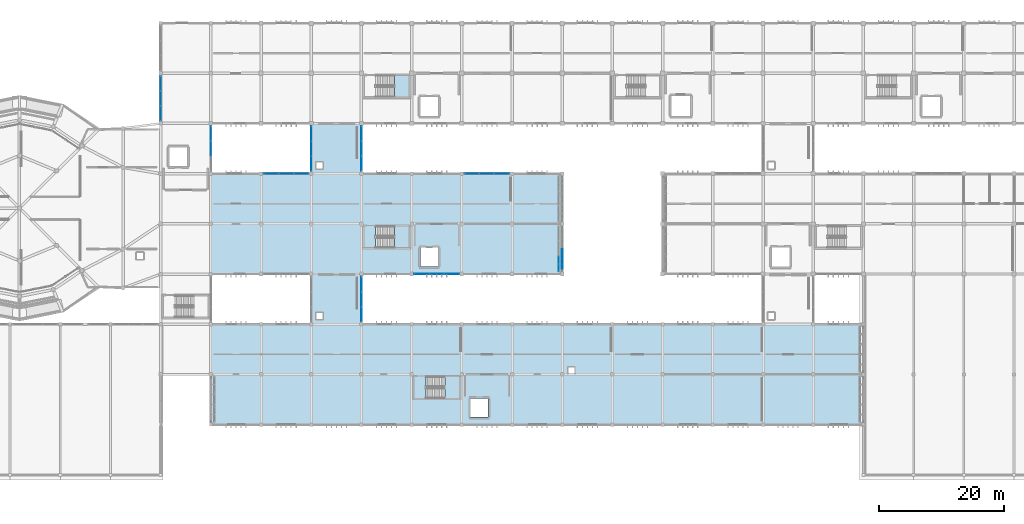
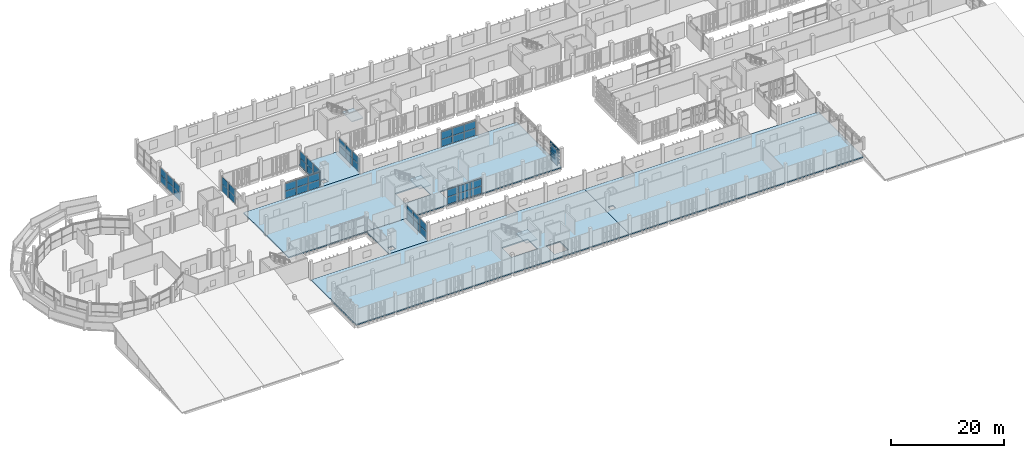
# One storey, part 58 of 83: 58 plates, 8 slabs, 12 elements without a shape of their own.
"""IFC4 building model written with IfcOpenShell, lengths in metres."""

from ifc_helpers import new_model, si_unit, direction, frame, origin, origin_2d, place, context, subcontext, project, spatial, polyline, rectangle, outline, extrude, material, layer, layer_set, type_object, element, aggregate, save


model = new_model("IFC4")

# Units and contexts
model_context = context("Model", 3, precision=1e-05, world=origin(), true_north=direction((0.0, 1.0)))
body_context = subcontext(model_context, "Body", "Model", "MODEL_VIEW")
ifc_project = project(units=[si_unit("LENGTHUNIT", "METRE"), si_unit("AREAUNIT", "SQUARE_METRE"), si_unit("VOLUMEUNIT", "CUBIC_METRE"), si_unit("PLANEANGLEUNIT", "RADIAN"), si_unit("MASSUNIT", "GRAM", prefix="KILO")], contexts=[model_context])

# Site, building, storey
site_placement = place(None, origin())
site = spatial("IfcSite", under=ifc_project, at=site_placement, CompositionType="ELEMENT")
building_placement = place(site_placement, origin())
building = spatial("IfcBuilding", under=site, at=building_placement, Name="Jelvoka-Kovrelna Polytechnic", CompositionType="ELEMENT")
storey_placement = place(building_placement, frame((0.0, 0.0, 13.800048828125)))
storey = spatial("IfcBuildingStorey", under=building, at=storey_placement, Name="L04", CompositionType="ELEMENT", Elevation=13.800048828125)

# Curtain wall, plates
ifc_material_1 = material(Name="Anodised aluminium 6063-T6", Category="aluminium")
ifc_layer_1 = layer(ifc_material_1, 0.159912109375)
ifc_layer_set_1 = layer_set([ifc_layer_1], Name="Anodised aluminium 6063-T6")
curtain_wall_type_1 = type_object("IfcCurtainWallType", Name="CW_Recessed_A", PredefinedType="NOTDEFINED", material=ifc_layer_set_1)
curtain_wall_1_placement = place(storey_placement, origin())
curtain_wall_1 = element("IfcCurtainWall", 1, at=curtain_wall_1_placement, inside=storey, type_object=curtain_wall_type_1, Name="L04 glazed curtain wall 028", PredefinedType="NOTDEFINED")
ifc_material_2 = material(Name="Solar-control double glazing", Category="glass")
ifc_layer_2 = layer(ifc_material_2, 0.028076171875)
ifc_layer_set_2 = layer_set([ifc_layer_2], Name="Solar-control double glazing")
plate_type_1 = type_object("IfcPlateType", Name="Panel_GP-01", PredefinedType="CURTAIN_PANEL", material=ifc_layer_set_2)
plate_1_placement = place(storey_placement, frame((65.614990234375, 48.0, 0.052001953125), z_axis=(0.0, 0.0, 1.0), x_axis=(1.0, 0.0, 0.0)))
plate_1 = element("IfcPlate", 2, at=plate_1_placement, type_object=plate_type_1, Name="CW-01 panel 1.1", PredefinedType="CURTAIN_PANEL", context=body_context, shape_type="SweptSolid", body=[
    extrude(rectangle(XDim=2.326171875, YDim=0.028076171875, at=origin_2d()), origin(), (0.0, 0.0, 1.0), 1.588623046875),
])
plate_2_placement = place(storey_placement, frame((65.614990234375, 48.0, 1.684326171875), z_axis=(0.0, 0.0, 1.0), x_axis=(1.0, 0.0, 0.0)))
plate_2 = element("IfcPlate", 3, at=plate_2_placement, type_object=plate_type_1, Name="CW-01 panel 1.2", PredefinedType="CURTAIN_PANEL", context=body_context, shape_type="SweptSolid", body=[
    extrude(rectangle(XDim=2.326171875, YDim=0.028076171875, at=origin_2d()), origin(), (0.0, 0.0, 1.0), 1.588623046875),
])
plate_3_placement = place(storey_placement, frame((68.0, 48.0, 0.052001953125), z_axis=(0.0, 0.0, 1.0), x_axis=(1.0, 0.0, 0.0)))
plate_3 = element("IfcPlate", 4, at=plate_3_placement, type_object=plate_type_1, Name="CW-01 panel 2.1", PredefinedType="CURTAIN_PANEL", context=body_context, shape_type="SweptSolid", body=[
    extrude(rectangle(XDim=2.356201171875, YDim=0.028076171875, at=origin_2d()), origin(), (0.0, 0.0, 1.0), 1.588623046875),
])
plate_4_placement = place(storey_placement, frame((68.0, 48.0, 1.684326171875), z_axis=(0.0, 0.0, 1.0), x_axis=(1.0, 0.0, 0.0)))
plate_4 = element("IfcPlate", 5, at=plate_4_placement, type_object=plate_type_1, Name="CW-01 panel 2.2", PredefinedType="CURTAIN_PANEL", context=body_context, shape_type="SweptSolid", body=[
    extrude(rectangle(XDim=2.356201171875, YDim=0.028076171875, at=origin_2d()), origin(), (0.0, 0.0, 1.0), 1.588623046875),
])
plate_5_placement = place(storey_placement, frame((70.385009765625, 48.0, 0.052001953125), z_axis=(0.0, 0.0, 1.0), x_axis=(1.0, 0.0, 0.0)))
plate_5 = element("IfcPlate", 6, at=plate_5_placement, type_object=plate_type_1, Name="CW-01 panel 3.1", PredefinedType="CURTAIN_PANEL", context=body_context, shape_type="SweptSolid", body=[
    extrude(rectangle(XDim=2.326171875, YDim=0.028076171875, at=origin_2d()), origin(), (0.0, 0.0, 1.0), 1.588623046875),
])
plate_6_placement = place(storey_placement, frame((70.385009765625, 48.0, 1.684326171875), z_axis=(0.0, 0.0, 1.0), x_axis=(1.0, 0.0, 0.0)))
plate_6 = element("IfcPlate", 7, at=plate_6_placement, type_object=plate_type_1, Name="CW-01 panel 3.2", PredefinedType="CURTAIN_PANEL", context=body_context, shape_type="SweptSolid", body=[
    extrude(rectangle(XDim=2.326171875, YDim=0.028076171875, at=origin_2d()), origin(), (0.0, 0.0, 1.0), 1.588623046875),
])
aggregate(curtain_wall_1, [plate_1, plate_2, plate_3, plate_4, plate_5, plate_6])

curtain_wall_2_placement = place(storey_placement, origin())
curtain_wall_2 = element("IfcCurtainWall", 8, at=curtain_wall_2_placement, inside=storey, type_object=curtain_wall_type_1, Name="L04 glazed curtain wall 029", PredefinedType="NOTDEFINED")
plate_7_placement = place(storey_placement, frame((94.385009765625, 32.0, 0.052001953125), z_axis=(0.0, 0.0, 1.0), x_axis=(-1.0, 0.0, 0.0)))
plate_7 = element("IfcPlate", 9, at=plate_7_placement, type_object=plate_type_1, Name="CW-01 panel 1.1", PredefinedType="CURTAIN_PANEL", context=body_context, shape_type="SweptSolid", body=[
    extrude(rectangle(XDim=2.326171875, YDim=0.028076171875, at=origin_2d()), origin(), (0.0, 0.0, 1.0), 1.588623046875),
])
plate_8_placement = place(storey_placement, frame((94.385009765625, 32.0, 1.684326171875), z_axis=(0.0, 0.0, 1.0), x_axis=(-1.0, 0.0, 0.0)))
plate_8 = element("IfcPlate", 10, at=plate_8_placement, type_object=plate_type_1, Name="CW-01 panel 1.2", PredefinedType="CURTAIN_PANEL", context=body_context, shape_type="SweptSolid", body=[
    extrude(rectangle(XDim=2.326171875, YDim=0.028076171875, at=origin_2d()), origin(), (0.0, 0.0, 1.0), 1.588623046875),
])
plate_9_placement = place(storey_placement, frame((92.0, 32.0, 0.052001953125), z_axis=(0.0, 0.0, 1.0), x_axis=(-1.0, 0.0, 0.0)))
plate_9 = element("IfcPlate", 11, at=plate_9_placement, type_object=plate_type_1, Name="CW-01 panel 2.1", PredefinedType="CURTAIN_PANEL", context=body_context, shape_type="SweptSolid", body=[
    extrude(rectangle(XDim=2.356201171875, YDim=0.028076171875, at=origin_2d()), origin(), (0.0, 0.0, 1.0), 1.588623046875),
])
plate_10_placement = place(storey_placement, frame((92.0, 32.0, 1.684326171875), z_axis=(0.0, 0.0, 1.0), x_axis=(-1.0, 0.0, 0.0)))
plate_10 = element("IfcPlate", 12, at=plate_10_placement, type_object=plate_type_1, Name="CW-01 panel 2.2", PredefinedType="CURTAIN_PANEL", context=body_context, shape_type="SweptSolid", body=[
    extrude(rectangle(XDim=2.356201171875, YDim=0.028076171875, at=origin_2d()), origin(), (0.0, 0.0, 1.0), 1.588623046875),
])
plate_11_placement = place(storey_placement, frame((89.614990234375, 32.0, 0.052001953125), z_axis=(0.0, 0.0, 1.0), x_axis=(-1.0, 0.0, 0.0)))
plate_11 = element("IfcPlate", 13, at=plate_11_placement, type_object=plate_type_1, Name="CW-01 panel 3.1", PredefinedType="CURTAIN_PANEL", context=body_context, shape_type="SweptSolid", body=[
    extrude(rectangle(XDim=2.326171875, YDim=0.028076171875, at=origin_2d()), origin(), (0.0, 0.0, 1.0), 1.588623046875),
])
plate_12_placement = place(storey_placement, frame((89.614990234375, 32.0, 1.684326171875), z_axis=(0.0, 0.0, 1.0), x_axis=(-1.0, 0.0, 0.0)))
plate_12 = element("IfcPlate", 14, at=plate_12_placement, type_object=plate_type_1, Name="CW-01 panel 3.2", PredefinedType="CURTAIN_PANEL", context=body_context, shape_type="SweptSolid", body=[
    extrude(rectangle(XDim=2.326171875, YDim=0.028076171875, at=origin_2d()), origin(), (0.0, 0.0, 1.0), 1.588623046875),
])
aggregate(curtain_wall_2, [plate_7, plate_8, plate_9, plate_10, plate_11, plate_12])

curtain_wall_3_placement = place(storey_placement, origin())
curtain_wall_3 = element("IfcCurtainWall", 15, at=curtain_wall_3_placement, inside=storey, type_object=curtain_wall_type_1, Name="L04 glazed curtain wall 030", PredefinedType="NOTDEFINED")
plate_13_placement = place(storey_placement, frame((97.614990234375, 48.0, 0.052001953125), z_axis=(0.0, 0.0, 1.0), x_axis=(1.0, 0.0, 0.0)))
plate_13 = element("IfcPlate", 16, at=plate_13_placement, type_object=plate_type_1, Name="CW-01 panel 1.1", PredefinedType="CURTAIN_PANEL", context=body_context, shape_type="SweptSolid", body=[
    extrude(rectangle(XDim=2.326171875, YDim=0.028076171875, at=origin_2d()), origin(), (0.0, 0.0, 1.0), 1.588623046875),
])
plate_14_placement = place(storey_placement, frame((97.614990234375, 48.0, 1.684326171875), z_axis=(0.0, 0.0, 1.0), x_axis=(1.0, 0.0, 0.0)))
plate_14 = element("IfcPlate", 17, at=plate_14_placement, type_object=plate_type_1, Name="CW-01 panel 1.2", PredefinedType="CURTAIN_PANEL", context=body_context, shape_type="SweptSolid", body=[
    extrude(rectangle(XDim=2.326171875, YDim=0.028076171875, at=origin_2d()), origin(), (0.0, 0.0, 1.0), 1.588623046875),
])
plate_15_placement = place(storey_placement, frame((100.0, 48.0, 0.052001953125), z_axis=(0.0, 0.0, 1.0), x_axis=(1.0, 0.0, 0.0)))
plate_15 = element("IfcPlate", 18, at=plate_15_placement, type_object=plate_type_1, Name="CW-01 panel 2.1", PredefinedType="CURTAIN_PANEL", context=body_context, shape_type="SweptSolid", body=[
    extrude(rectangle(XDim=2.356201171875, YDim=0.028076171875, at=origin_2d()), origin(), (0.0, 0.0, 1.0), 1.588623046875),
])
plate_16_placement = place(storey_placement, frame((100.0, 48.0, 1.684326171875), z_axis=(0.0, 0.0, 1.0), x_axis=(1.0, 0.0, 0.0)))
plate_16 = element("IfcPlate", 19, at=plate_16_placement, type_object=plate_type_1, Name="CW-01 panel 2.2", PredefinedType="CURTAIN_PANEL", context=body_context, shape_type="SweptSolid", body=[
    extrude(rectangle(XDim=2.356201171875, YDim=0.028076171875, at=origin_2d()), origin(), (0.0, 0.0, 1.0), 1.588623046875),
])
plate_17_placement = place(storey_placement, frame((102.385009765625, 48.0, 0.052001953125), z_axis=(0.0, 0.0, 1.0), x_axis=(1.0, 0.0, 0.0)))
plate_17 = element("IfcPlate", 20, at=plate_17_placement, type_object=plate_type_1, Name="CW-01 panel 3.1", PredefinedType="CURTAIN_PANEL", context=body_context, shape_type="SweptSolid", body=[
    extrude(rectangle(XDim=2.326171875, YDim=0.028076171875, at=origin_2d()), origin(), (0.0, 0.0, 1.0), 1.588623046875),
])
plate_18_placement = place(storey_placement, frame((102.385009765625, 48.0, 1.684326171875), z_axis=(0.0, 0.0, 1.0), x_axis=(1.0, 0.0, 0.0)))
plate_18 = element("IfcPlate", 21, at=plate_18_placement, type_object=plate_type_1, Name="CW-01 panel 3.2", PredefinedType="CURTAIN_PANEL", context=body_context, shape_type="SweptSolid", body=[
    extrude(rectangle(XDim=2.326171875, YDim=0.028076171875, at=origin_2d()), origin(), (0.0, 0.0, 1.0), 1.588623046875),
])
aggregate(curtain_wall_3, [plate_13, plate_14, plate_15, plate_16, plate_17, plate_18])

curtain_wall_4_placement = place(storey_placement, origin())
curtain_wall_4 = element("IfcCurtainWall", 22, at=curtain_wall_4_placement, inside=storey, type_object=curtain_wall_type_1, Name="L04 glazed curtain wall 031", PredefinedType="NOTDEFINED")
plate_19_placement = place(storey_placement, frame((111.43994140625, 33.614990234375, 0.052001953125), z_axis=(0.0, 0.0, 1.0), x_axis=(0.0, -1.0, 0.0)))
plate_19 = element("IfcPlate", 23, at=plate_19_placement, type_object=plate_type_1, Name="CW-01 panel 3.1", PredefinedType="CURTAIN_PANEL", context=body_context, shape_type="SweptSolid", body=[
    extrude(rectangle(XDim=2.326171875, YDim=0.028076171875, at=origin_2d()), origin(), (0.0, 0.0, 1.0), 1.60107421875),
])
plate_20_placement = place(storey_placement, frame((111.43994140625, 33.614990234375, 1.697021484375), z_axis=(0.0, 0.0, 1.0), x_axis=(0.0, -1.0, 0.0)))
plate_20 = element("IfcPlate", 24, at=plate_20_placement, type_object=plate_type_1, Name="CW-01 panel 3.2", PredefinedType="CURTAIN_PANEL", context=body_context, shape_type="SweptSolid", body=[
    extrude(rectangle(XDim=2.326171875, YDim=0.028076171875, at=origin_2d()), origin(), (0.0, 0.0, 1.0), 1.60107421875),
])
aggregate(curtain_wall_4, [plate_19, plate_20])

ifc_material_3 = material(Name="Anodised aluminium 6063-T6", Category="aluminium")
ifc_layer_3 = layer(ifc_material_3, 0.159912109375)
ifc_layer_set_3 = layer_set([ifc_layer_3], Name="Anodised aluminium 6063-T6")
curtain_wall_type_2 = type_object("IfcCurtainWallType", Name="CW_LinkBridge", PredefinedType="NOTDEFINED", material=ifc_layer_set_3)
curtain_wall_5_placement = place(storey_placement, origin())
curtain_wall_5 = element("IfcCurtainWall", 25, at=curtain_wall_5_placement, inside=storey, type_object=curtain_wall_type_2, Name="L04 glazed curtain wall 134", PredefinedType="NOTDEFINED")
ifc_material_4 = material(Name="Solar-control double glazing", Category="glass")
ifc_layer_4 = layer(ifc_material_4, 0.02392578125)
ifc_layer_set_4 = layer_set([ifc_layer_4], Name="Solar-control double glazing")
plate_type_2 = type_object("IfcPlateType", Name="Panel_GP-04", PredefinedType="CURTAIN_PANEL", material=ifc_layer_set_4)
plate_21_placement = place(storey_placement, frame((72.0, 49.614990234375, 0.052001953125), z_axis=(0.0, 0.0, 1.0), x_axis=(0.0, 1.0, 0.0)))
plate_21 = element("IfcPlate", 26, at=plate_21_placement, type_object=plate_type_2, Name="CW-04 panel 1.1", PredefinedType="CURTAIN_PANEL", context=body_context, shape_type="SweptSolid", body=[
    extrude(rectangle(XDim=2.326171875, YDim=0.02392578125, at=origin_2d()), origin(), (0.0, 0.0, 1.0), 1.53857421875),
])
plate_22_placement = place(storey_placement, frame((72.0, 49.614990234375, 1.634521484375), z_axis=(0.0, 0.0, 1.0), x_axis=(0.0, 1.0, 0.0)))
plate_22 = element("IfcPlate", 27, at=plate_22_placement, type_object=plate_type_2, Name="CW-04 panel 1.2", PredefinedType="CURTAIN_PANEL", context=body_context, shape_type="SweptSolid", body=[
    extrude(rectangle(XDim=2.326171875, YDim=0.02392578125, at=origin_2d()), origin(), (0.0, 0.0, 1.0), 1.53857421875),
])
plate_23_placement = place(storey_placement, frame((72.0, 52.0, 0.052001953125), z_axis=(0.0, 0.0, 1.0), x_axis=(0.0, 1.0, 0.0)))
plate_23 = element("IfcPlate", 28, at=plate_23_placement, type_object=plate_type_2, Name="CW-04 panel 2.1", PredefinedType="CURTAIN_PANEL", context=body_context, shape_type="SweptSolid", body=[
    extrude(rectangle(XDim=2.356201171875, YDim=0.02392578125, at=origin_2d()), origin(), (0.0, 0.0, 1.0), 1.53857421875),
])
plate_24_placement = place(storey_placement, frame((72.0, 52.0, 1.634521484375), z_axis=(0.0, 0.0, 1.0), x_axis=(0.0, 1.0, 0.0)))
plate_24 = element("IfcPlate", 29, at=plate_24_placement, type_object=plate_type_2, Name="CW-04 panel 2.2", PredefinedType="CURTAIN_PANEL", context=body_context, shape_type="SweptSolid", body=[
    extrude(rectangle(XDim=2.356201171875, YDim=0.02392578125, at=origin_2d()), origin(), (0.0, 0.0, 1.0), 1.53857421875),
])
plate_25_placement = place(storey_placement, frame((72.0, 54.385009765625, 0.052001953125), z_axis=(0.0, 0.0, 1.0), x_axis=(0.0, 1.0, 0.0)))
plate_25 = element("IfcPlate", 30, at=plate_25_placement, type_object=plate_type_2, Name="CW-04 panel 3.1", PredefinedType="CURTAIN_PANEL", context=body_context, shape_type="SweptSolid", body=[
    extrude(rectangle(XDim=2.326171875, YDim=0.02392578125, at=origin_2d()), origin(), (0.0, 0.0, 1.0), 1.53857421875),
])
plate_26_placement = place(storey_placement, frame((72.0, 54.385009765625, 1.634521484375), z_axis=(0.0, 0.0, 1.0), x_axis=(0.0, 1.0, 0.0)))
plate_26 = element("IfcPlate", 31, at=plate_26_placement, type_object=plate_type_2, Name="CW-04 panel 3.2", PredefinedType="CURTAIN_PANEL", context=body_context, shape_type="SweptSolid", body=[
    extrude(rectangle(XDim=2.326171875, YDim=0.02392578125, at=origin_2d()), origin(), (0.0, 0.0, 1.0), 1.53857421875),
])
aggregate(curtain_wall_5, [plate_21, plate_22, plate_23, plate_24, plate_25, plate_26])

curtain_wall_6_placement = place(storey_placement, origin())
curtain_wall_6 = element("IfcCurtainWall", 32, at=curtain_wall_6_placement, inside=storey, type_object=curtain_wall_type_2, Name="L04 glazed curtain wall 135", PredefinedType="NOTDEFINED")
plate_27_placement = place(storey_placement, frame((80.0, 54.385009765625, 0.052001953125), z_axis=(0.0, 0.0, 1.0), x_axis=(0.0, -1.0, 0.0)))
plate_27 = element("IfcPlate", 33, at=plate_27_placement, type_object=plate_type_2, Name="CW-04 panel 1.1", PredefinedType="CURTAIN_PANEL", context=body_context, shape_type="SweptSolid", body=[
    extrude(rectangle(XDim=2.326171875, YDim=0.02392578125, at=origin_2d()), origin(), (0.0, 0.0, 1.0), 1.53857421875),
])
plate_28_placement = place(storey_placement, frame((80.0, 54.385009765625, 1.634521484375), z_axis=(0.0, 0.0, 1.0), x_axis=(0.0, -1.0, 0.0)))
plate_28 = element("IfcPlate", 34, at=plate_28_placement, type_object=plate_type_2, Name="CW-04 panel 1.2", PredefinedType="CURTAIN_PANEL", context=body_context, shape_type="SweptSolid", body=[
    extrude(rectangle(XDim=2.326171875, YDim=0.02392578125, at=origin_2d()), origin(), (0.0, 0.0, 1.0), 1.53857421875),
])
plate_29_placement = place(storey_placement, frame((80.0, 52.0, 0.052001953125), z_axis=(0.0, 0.0, 1.0), x_axis=(0.0, -1.0, 0.0)))
plate_29 = element("IfcPlate", 35, at=plate_29_placement, type_object=plate_type_2, Name="CW-04 panel 2.1", PredefinedType="CURTAIN_PANEL", context=body_context, shape_type="SweptSolid", body=[
    extrude(rectangle(XDim=2.356201171875, YDim=0.02392578125, at=origin_2d()), origin(), (0.0, 0.0, 1.0), 1.53857421875),
])
plate_30_placement = place(storey_placement, frame((80.0, 52.0, 1.634521484375), z_axis=(0.0, 0.0, 1.0), x_axis=(0.0, -1.0, 0.0)))
plate_30 = element("IfcPlate", 36, at=plate_30_placement, type_object=plate_type_2, Name="CW-04 panel 2.2", PredefinedType="CURTAIN_PANEL", context=body_context, shape_type="SweptSolid", body=[
    extrude(rectangle(XDim=2.356201171875, YDim=0.02392578125, at=origin_2d()), origin(), (0.0, 0.0, 1.0), 1.53857421875),
])
plate_31_placement = place(storey_placement, frame((80.0, 49.614990234375, 0.052001953125), z_axis=(0.0, 0.0, 1.0), x_axis=(0.0, -1.0, 0.0)))
plate_31 = element("IfcPlate", 37, at=plate_31_placement, type_object=plate_type_2, Name="CW-04 panel 3.1", PredefinedType="CURTAIN_PANEL", context=body_context, shape_type="SweptSolid", body=[
    extrude(rectangle(XDim=2.326171875, YDim=0.02392578125, at=origin_2d()), origin(), (0.0, 0.0, 1.0), 1.53857421875),
])
plate_32_placement = place(storey_placement, frame((80.0, 49.614990234375, 1.634521484375), z_axis=(0.0, 0.0, 1.0), x_axis=(0.0, -1.0, 0.0)))
plate_32 = element("IfcPlate", 38, at=plate_32_placement, type_object=plate_type_2, Name="CW-04 panel 3.2", PredefinedType="CURTAIN_PANEL", context=body_context, shape_type="SweptSolid", body=[
    extrude(rectangle(XDim=2.326171875, YDim=0.02392578125, at=origin_2d()), origin(), (0.0, 0.0, 1.0), 1.53857421875),
])
aggregate(curtain_wall_6, [plate_27, plate_28, plate_29, plate_30, plate_31, plate_32])

curtain_wall_7_placement = place(storey_placement, origin())
curtain_wall_7 = element("IfcCurtainWall", 39, at=curtain_wall_7_placement, inside=storey, type_object=curtain_wall_type_2, Name="L04 glazed curtain wall 137", PredefinedType="NOTDEFINED")
plate_33_placement = place(storey_placement, frame((80.0, 30.385009765625, 0.052001953125), z_axis=(0.0, 0.0, 1.0), x_axis=(0.0, -1.0, 0.0)))
plate_33 = element("IfcPlate", 40, at=plate_33_placement, type_object=plate_type_2, Name="CW-04 panel 1.1", PredefinedType="CURTAIN_PANEL", context=body_context, shape_type="SweptSolid", body=[
    extrude(rectangle(XDim=2.326171875, YDim=0.02392578125, at=origin_2d()), origin(), (0.0, 0.0, 1.0), 1.53857421875),
])
plate_34_placement = place(storey_placement, frame((80.0, 30.385009765625, 1.634521484375), z_axis=(0.0, 0.0, 1.0), x_axis=(0.0, -1.0, 0.0)))
plate_34 = element("IfcPlate", 41, at=plate_34_placement, type_object=plate_type_2, Name="CW-04 panel 1.2", PredefinedType="CURTAIN_PANEL", context=body_context, shape_type="SweptSolid", body=[
    extrude(rectangle(XDim=2.326171875, YDim=0.02392578125, at=origin_2d()), origin(), (0.0, 0.0, 1.0), 1.53857421875),
])
plate_35_placement = place(storey_placement, frame((80.0, 28.0, 0.052001953125), z_axis=(0.0, 0.0, 1.0), x_axis=(0.0, -1.0, 0.0)))
plate_35 = element("IfcPlate", 42, at=plate_35_placement, type_object=plate_type_2, Name="CW-04 panel 2.1", PredefinedType="CURTAIN_PANEL", context=body_context, shape_type="SweptSolid", body=[
    extrude(rectangle(XDim=2.356201171875, YDim=0.02392578125, at=origin_2d()), origin(), (0.0, 0.0, 1.0), 1.53857421875),
])
plate_36_placement = place(storey_placement, frame((80.0, 28.0, 1.634521484375), z_axis=(0.0, 0.0, 1.0), x_axis=(0.0, -1.0, 0.0)))
plate_36 = element("IfcPlate", 43, at=plate_36_placement, type_object=plate_type_2, Name="CW-04 panel 2.2", PredefinedType="CURTAIN_PANEL", context=body_context, shape_type="SweptSolid", body=[
    extrude(rectangle(XDim=2.356201171875, YDim=0.02392578125, at=origin_2d()), origin(), (0.0, 0.0, 1.0), 1.53857421875),
])
plate_37_placement = place(storey_placement, frame((80.0, 25.614990234375, 0.052001953125), z_axis=(0.0, 0.0, 1.0), x_axis=(0.0, -1.0, 0.0)))
plate_37 = element("IfcPlate", 44, at=plate_37_placement, type_object=plate_type_2, Name="CW-04 panel 3.1", PredefinedType="CURTAIN_PANEL", context=body_context, shape_type="SweptSolid", body=[
    extrude(rectangle(XDim=2.326171875, YDim=0.02392578125, at=origin_2d()), origin(), (0.0, 0.0, 1.0), 1.53857421875),
])
plate_38_placement = place(storey_placement, frame((80.0, 25.614990234375, 1.634521484375), z_axis=(0.0, 0.0, 1.0), x_axis=(0.0, -1.0, 0.0)))
plate_38 = element("IfcPlate", 45, at=plate_38_placement, type_object=plate_type_2, Name="CW-04 panel 3.2", PredefinedType="CURTAIN_PANEL", context=body_context, shape_type="SweptSolid", body=[
    extrude(rectangle(XDim=2.326171875, YDim=0.02392578125, at=origin_2d()), origin(), (0.0, 0.0, 1.0), 1.53857421875),
])
aggregate(curtain_wall_7, [plate_33, plate_34, plate_35, plate_36, plate_37, plate_38])

ifc_material_5 = material(Name="Anodised aluminium 6063-T6", Category="aluminium")
ifc_layer_5 = layer(ifc_material_5, 0.179931640625)
ifc_layer_set_5 = layer_set([ifc_layer_5], Name="Anodised aluminium 6063-T6")
curtain_wall_type_3 = type_object("IfcCurtainWallType", Name="CW_Pavilion", PredefinedType="NOTDEFINED", material=ifc_layer_set_5)
curtain_wall_8_placement = place(storey_placement, origin())
curtain_wall_8 = element("IfcCurtainWall", 46, at=curtain_wall_8_placement, inside=storey, type_object=curtain_wall_type_3, Name="L04 glazed curtain wall 141", PredefinedType="NOTDEFINED")
ifc_material_6 = material(Name="Solar-control double glazing", Category="glass")
ifc_layer_6 = layer(ifc_material_6, 0.030029296875)
ifc_layer_set_6 = layer_set([ifc_layer_6], Name="Solar-control double glazing")
plate_type_3 = type_object("IfcPlateType", Name="Panel_GP-05", PredefinedType="CURTAIN_PANEL", material=ifc_layer_set_6)
plate_39_placement = place(storey_placement, frame((56.0, 54.3837890625, 0.056884765625), z_axis=(0.0, 0.0, 1.0), x_axis=(0.0, -1.0, 0.0)))
plate_39 = element("IfcPlate", 47, at=plate_39_placement, type_object=plate_type_3, Name="CW-05 panel 1.1", PredefinedType="CURTAIN_PANEL", context=body_context, shape_type="SweptSolid", body=[
    extrude(rectangle(XDim=2.318603515625, YDim=0.030029296875, at=origin_2d()), origin(), (0.0, 0.0, 1.0), 1.531005859375),
])
plate_40_placement = place(storey_placement, frame((56.0, 54.3837890625, 1.636962890625), z_axis=(0.0, 0.0, 1.0), x_axis=(0.0, -1.0, 0.0)))
plate_40 = element("IfcPlate", 48, at=plate_40_placement, type_object=plate_type_3, Name="CW-05 panel 1.2", PredefinedType="CURTAIN_PANEL", context=body_context, shape_type="SweptSolid", body=[
    extrude(rectangle(XDim=2.318603515625, YDim=0.030029296875, at=origin_2d()), origin(), (0.0, 0.0, 1.0), 1.531005859375),
])
plate_41_placement = place(storey_placement, frame((56.0, 52.0, 0.056884765625), z_axis=(0.0, 0.0, 1.0), x_axis=(0.0, -1.0, 0.0)))
plate_41 = element("IfcPlate", 49, at=plate_41_placement, type_object=plate_type_3, Name="CW-05 panel 2.1", PredefinedType="CURTAIN_PANEL", context=body_context, shape_type="SweptSolid", body=[
    extrude(rectangle(XDim=2.35107421875, YDim=0.030029296875, at=origin_2d()), origin(), (0.0, 0.0, 1.0), 1.531005859375),
])
plate_42_placement = place(storey_placement, frame((56.0, 52.0, 1.636962890625), z_axis=(0.0, 0.0, 1.0), x_axis=(0.0, -1.0, 0.0)))
plate_42 = element("IfcPlate", 50, at=plate_42_placement, type_object=plate_type_3, Name="CW-05 panel 2.2", PredefinedType="CURTAIN_PANEL", context=body_context, shape_type="SweptSolid", body=[
    extrude(rectangle(XDim=2.35107421875, YDim=0.030029296875, at=origin_2d()), origin(), (0.0, 0.0, 1.0), 1.531005859375),
])
aggregate(curtain_wall_8, [plate_39, plate_40, plate_41, plate_42])

curtain_wall_9_placement = place(storey_placement, origin())
curtain_wall_9 = element("IfcCurtainWall", 51, at=curtain_wall_9_placement, inside=storey, type_object=curtain_wall_type_3, Name="L04 glazed curtain wall 142", PredefinedType="NOTDEFINED")
plate_43_placement = place(storey_placement, frame((48.0, 57.6162109375, 0.056884765625), z_axis=(0.0, 0.0, 1.0), x_axis=(0.0, 1.0, 0.0)))
plate_43 = element("IfcPlate", 52, at=plate_43_placement, type_object=plate_type_3, Name="CW-05 panel 1.1", PredefinedType="CURTAIN_PANEL", context=body_context, shape_type="SweptSolid", body=[
    extrude(rectangle(XDim=2.318603515625, YDim=0.030029296875, at=origin_2d()), origin(), (0.0, 0.0, 1.0), 1.531005859375),
])
plate_44_placement = place(storey_placement, frame((48.0, 57.6162109375, 1.636962890625), z_axis=(0.0, 0.0, 1.0), x_axis=(0.0, 1.0, 0.0)))
plate_44 = element("IfcPlate", 53, at=plate_44_placement, type_object=plate_type_3, Name="CW-05 panel 1.2", PredefinedType="CURTAIN_PANEL", context=body_context, shape_type="SweptSolid", body=[
    extrude(rectangle(XDim=2.318603515625, YDim=0.030029296875, at=origin_2d()), origin(), (0.0, 0.0, 1.0), 1.531005859375),
])
plate_45_placement = place(storey_placement, frame((48.0, 60.0, 0.056884765625), z_axis=(0.0, 0.0, 1.0), x_axis=(0.0, 1.0, 0.0)))
plate_45 = element("IfcPlate", 54, at=plate_45_placement, type_object=plate_type_3, Name="CW-05 panel 2.1", PredefinedType="CURTAIN_PANEL", context=body_context, shape_type="SweptSolid", body=[
    extrude(rectangle(XDim=2.35107421875, YDim=0.030029296875, at=origin_2d()), origin(), (0.0, 0.0, 1.0), 1.531005859375),
])
plate_46_placement = place(storey_placement, frame((48.0, 60.0, 1.636962890625), z_axis=(0.0, 0.0, 1.0), x_axis=(0.0, 1.0, 0.0)))
plate_46 = element("IfcPlate", 55, at=plate_46_placement, type_object=plate_type_3, Name="CW-05 panel 2.2", PredefinedType="CURTAIN_PANEL", context=body_context, shape_type="SweptSolid", body=[
    extrude(rectangle(XDim=2.35107421875, YDim=0.030029296875, at=origin_2d()), origin(), (0.0, 0.0, 1.0), 1.531005859375),
])
plate_47_placement = place(storey_placement, frame((48.0, 62.3837890625, 0.056884765625), z_axis=(0.0, 0.0, 1.0), x_axis=(0.0, 1.0, 0.0)))
plate_47 = element("IfcPlate", 56, at=plate_47_placement, type_object=plate_type_3, Name="CW-05 panel 3.1", PredefinedType="CURTAIN_PANEL", context=body_context, shape_type="SweptSolid", body=[
    extrude(rectangle(XDim=2.318603515625, YDim=0.030029296875, at=origin_2d()), origin(), (0.0, 0.0, 1.0), 1.531005859375),
])
plate_48_placement = place(storey_placement, frame((48.0, 62.3837890625, 1.636962890625), z_axis=(0.0, 0.0, 1.0), x_axis=(0.0, 1.0, 0.0)))
plate_48 = element("IfcPlate", 57, at=plate_48_placement, type_object=plate_type_3, Name="CW-05 panel 3.2", PredefinedType="CURTAIN_PANEL", context=body_context, shape_type="SweptSolid", body=[
    extrude(rectangle(XDim=2.318603515625, YDim=0.030029296875, at=origin_2d()), origin(), (0.0, 0.0, 1.0), 1.531005859375),
])
aggregate(curtain_wall_9, [plate_43, plate_44, plate_45, plate_46, plate_47, plate_48])

# Plates
ifc_material_7 = material(Name="Perforated fired terracotta block", Category="masonry")
ifc_layer_7 = layer(ifc_material_7, 0.14990234375)
ifc_layer_set_7 = layer_set([ifc_layer_7], Name="Perforated fired terracotta block")
plate_type_4 = type_object("IfcPlateType", Name="Screen_Terracotta_TP03", PredefinedType="USERDEFINED", material=ifc_layer_set_7)
for number, where, z_axis, x_axis, name in (
    (58, (111.97998046875, 33.60009765625, 0.18994140625), (0.0, 0.0, 1.0), (0.0, 1.0, 0.0), "L04 perforated terracotta lattice band 0281"),
    (59, (111.97998046875, 33.60009765625, 0.88232421875), (0.0, 0.0, 1.0), (0.0, 1.0, 0.0), "L04 perforated terracotta lattice band 0282"),
    (60, (111.97998046875, 33.60009765625, 1.57470703125), (0.0, 0.0, 1.0), (0.0, 1.0, 0.0), "L04 perforated terracotta lattice band 0283"),
    (61, (111.97998046875, 33.60009765625, 2.267578125), (0.0, 0.0, 1.0), (0.0, 1.0, 0.0), "L04 perforated terracotta lattice band 0284"),
    (62, (111.97998046875, 33.60009765625, 2.9599609375), (0.0, 0.0, 1.0), (0.0, 1.0, 0.0), "L04 perforated terracotta lattice band 0285"),
    (63, (111.97998046875, 35.199951171875, 0.18994140625), (0.0, 0.0, 1.0), (0.0, 1.0, 0.0), "L04 perforated terracotta lattice band 0286"),
    (64, (111.97998046875, 35.199951171875, 0.88232421875), (0.0, 0.0, 1.0), (0.0, 1.0, 0.0), "L04 perforated terracotta lattice band 0287"),
    (65, (111.97998046875, 35.199951171875, 1.57470703125), (0.0, 0.0, 1.0), (0.0, 1.0, 0.0), "L04 perforated terracotta lattice band 0288"),
    (66, (111.97998046875, 35.199951171875, 2.267578125), (0.0, 0.0, 1.0), (0.0, 1.0, 0.0), "L04 perforated terracotta lattice band 0289"),
    (67, (111.97998046875, 35.199951171875, 2.9599609375), (0.0, 0.0, 1.0), (0.0, 1.0, 0.0), "L04 perforated terracotta lattice band 0290"),
):
    element("IfcPlate", number, at=place(storey_placement, frame(where, z_axis=z_axis, x_axis=x_axis)), inside=storey, type_object=plate_type_4, Name=name, ObjectType="SCREEN PANEL", PredefinedType="USERDEFINED", context=body_context, shape_type="SweptSolid", body=[
        extrude(rectangle(XDim=1.56005859375, YDim=0.14990234375, at=origin_2d()), origin(), (0.0, 0.0, 1.0), 0.260009765625),
    ])

# Slabs
ifc_material_8 = material(Name="Concrete C35/45", Category="concrete")
ifc_layer_8 = layer(ifc_material_8, 0.25)
ifc_layer_set_8 = layer_set([ifc_layer_8], Name="Concrete C35/45")
slab_type_1 = type_object("IfcSlabType", Name="Slab_Floor_250", PredefinedType="FLOOR", material=ifc_layer_set_8)
slab_1_placement = place(storey_placement, frame((0.0, 0.0, -0.25)))
element("IfcSlab", 68, at=slab_1_placement, inside=storey, type_object=slab_type_1, Name="L04 B1W structural slab", PredefinedType="FLOOR", context=body_context, shape_type="SweptSolid", body=[
    extrude(outline(polyline([(56.0, 8.0), (112.0, 8.0), (112.0, 24.0), (56.0, 24.0), (56.0, 8.0)]), holes=[polyline([(97.39990234375, 9.199951171875), (100.199951171875, 9.199951171875), (100.199951171875, 12.199951171875), (97.39990234375, 12.199951171875), (97.39990234375, 9.199951171875)]), polyline([(90.264892578125, 12.199951171875), (95.60009765625, 12.199951171875), (95.60009765625, 15.639892578125), (90.264892578125, 15.639892578125), (90.264892578125, 12.199951171875)])]), origin(), (0.0, 0.0, 1.0), 0.25),
])
slab_2_placement = place(storey_placement, frame((0.0, 0.0, -0.25)))
element("IfcSlab", 69, at=slab_2_placement, inside=storey, type_object=slab_type_1, Name="L04 B1E structural slab", PredefinedType="FLOOR", context=body_context, shape_type="SweptSolid", body=[
    extrude(outline(polyline([(112.0, 8.0), (160.0, 8.0), (160.0, 24.0), (112.0, 24.0), (112.0, 8.0)]), holes=[polyline([(112.949951171875, 16.14990234375), (113.949951171875, 16.14990234375), (113.949951171875, 17.14990234375), (112.949951171875, 17.14990234375), (112.949951171875, 16.14990234375)])]), origin(), (0.0, 0.0, 1.0), 0.25),
])
slab_3_placement = place(storey_placement, frame((0.0, 0.0, -0.25)))
element("IfcSlab", 70, at=slab_3_placement, inside=storey, type_object=slab_type_1, Name="L04 B2W structural slab", PredefinedType="FLOOR", context=body_context, shape_type="SweptSolid", body=[
    extrude(outline(polyline([(56.0, 32.0), (112.0, 32.0), (112.0, 48.0), (56.0, 48.0), (56.0, 32.0)]), holes=[polyline([(89.39990234375, 33.199951171875), (92.199951171875, 33.199951171875), (92.199951171875, 36.199951171875), (89.39990234375, 36.199951171875), (89.39990234375, 33.199951171875)]), polyline([(82.264892578125, 36.199951171875), (87.60009765625, 36.199951171875), (87.60009765625, 39.639892578125), (82.264892578125, 39.639892578125), (82.264892578125, 36.199951171875)])]), origin(), (0.0, 0.0, 1.0), 0.25),
])
slab_4_placement = place(storey_placement, frame((0.0, 0.0, -0.25)))
element("IfcSlab", 71, at=slab_4_placement, inside=storey, type_object=slab_type_1, Name="L04 LNKSW structural slab", PredefinedType="FLOOR", context=body_context, shape_type="SweptSolid", body=[
    extrude(outline(polyline([(72.0, 24.0), (80.0, 24.0), (80.0, 32.0), (72.0, 32.0), (72.0, 24.0)]), holes=[polyline([(72.800048828125, 24.800048828125), (73.800048828125, 24.800048828125), (73.800048828125, 25.800048828125), (72.800048828125, 25.800048828125), (72.800048828125, 24.800048828125)])]), origin(), (0.0, 0.0, 1.0), 0.25),
])
slab_5_placement = place(storey_placement, frame((0.0, 0.0, -0.25)))
element("IfcSlab", 72, at=slab_5_placement, inside=storey, type_object=slab_type_1, Name="L04 LNKNW structural slab", PredefinedType="FLOOR", context=body_context, shape_type="SweptSolid", body=[
    extrude(outline(polyline([(72.0, 48.0), (80.0, 48.0), (80.0, 56.0), (72.0, 56.0), (72.0, 48.0)]), holes=[polyline([(72.800048828125, 48.800048828125), (73.800048828125, 48.800048828125), (73.800048828125, 49.800048828125), (72.800048828125, 49.800048828125), (72.800048828125, 48.800048828125)])]), origin(), (0.0, 0.0, 1.0), 0.25),
])

# Stair, slab
ifc_material_9 = material(Name="Concrete C35/45", Category="concrete")
stair_type = type_object("IfcStairType", Name="Stair_Dogleg_1620", PredefinedType="TWO_STRAIGHT_RUN_STAIR", material=ifc_material_9)
stair_1_placement = place(storey_placement, origin())
stair_1 = element("IfcStair", 73, at=stair_1_placement, inside=storey, type_object=stair_type, Name="L04 ST06", PredefinedType="TWO_STRAIGHT_RUN_STAIR")
ifc_material_10 = material(Name="Concrete C35/45", Category="concrete")
ifc_layer_9 = layer(ifc_material_10, 0.199951171875)
ifc_layer_set_9 = layer_set([ifc_layer_9], Name="Concrete C35/45")
slab_type_2 = type_object("IfcSlabType", Name="Slab_Stair_Landing_200", PredefinedType="LANDING", material=ifc_layer_set_9)
slab_6_placement = place(storey_placement, frame((0.0, 0.0, 1.89990234375)))
slab_6 = element("IfcSlab", 74, at=slab_6_placement, type_object=slab_type_2, Name="ST06 landing 1", PredefinedType="LANDING", context=body_context, shape_type="SweptSolid", body=[
    extrude(outline(polyline([(93.27490234375, 12.199951171875), (95.60009765625, 12.199951171875), (95.60009765625, 15.639892578125), (93.27490234375, 15.639892578125), (93.27490234375, 12.199951171875)])), origin(), (0.0, 0.0, 1.0), 0.199951171875),
])
aggregate(stair_1, [slab_6])

stair_2_placement = place(storey_placement, origin())
stair_2 = element("IfcStair", 75, at=stair_2_placement, inside=storey, type_object=stair_type, Name="L04 ST07", PredefinedType="TWO_STRAIGHT_RUN_STAIR")
slab_7_placement = place(storey_placement, frame((0.0, 0.0, 1.89990234375)))
slab_7 = element("IfcSlab", 76, at=slab_7_placement, type_object=slab_type_2, Name="ST07 landing 1", PredefinedType="LANDING", context=body_context, shape_type="SweptSolid", body=[
    extrude(outline(polyline([(85.27490234375, 36.199951171875), (87.60009765625, 36.199951171875), (87.60009765625, 39.639892578125), (85.27490234375, 39.639892578125), (85.27490234375, 36.199951171875)])), origin(), (0.0, 0.0, 1.0), 0.199951171875),
])
aggregate(stair_2, [slab_7])

stair_3_placement = place(storey_placement, origin())
stair_3 = element("IfcStair", 77, at=stair_3_placement, inside=storey, type_object=stair_type, Name="L04 ST09", PredefinedType="TWO_STRAIGHT_RUN_STAIR")
slab_8_placement = place(storey_placement, frame((0.0, 0.0, 1.89990234375)))
slab_8 = element("IfcSlab", 78, at=slab_8_placement, type_object=slab_type_2, Name="ST09 landing 1", PredefinedType="LANDING", context=body_context, shape_type="SweptSolid", body=[
    extrude(outline(polyline([(85.27490234375, 60.199951171875), (87.60009765625, 60.199951171875), (87.60009765625, 63.639892578125), (85.27490234375, 63.639892578125), (85.27490234375, 60.199951171875)])), origin(), (0.0, 0.0, 1.0), 0.199951171875),
])
aggregate(stair_3, [slab_8])

save(model, "model.ifc")
